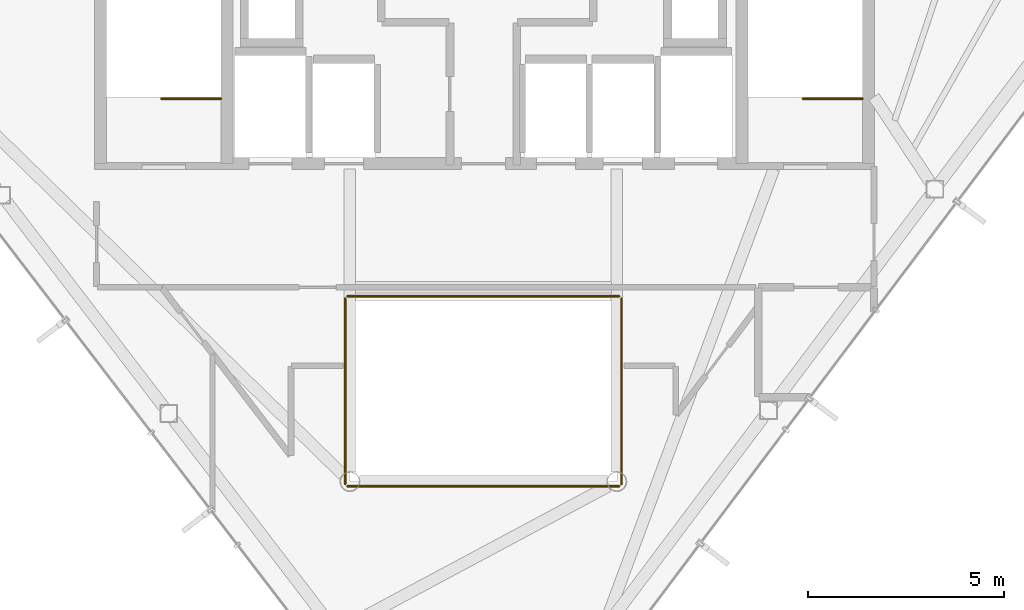
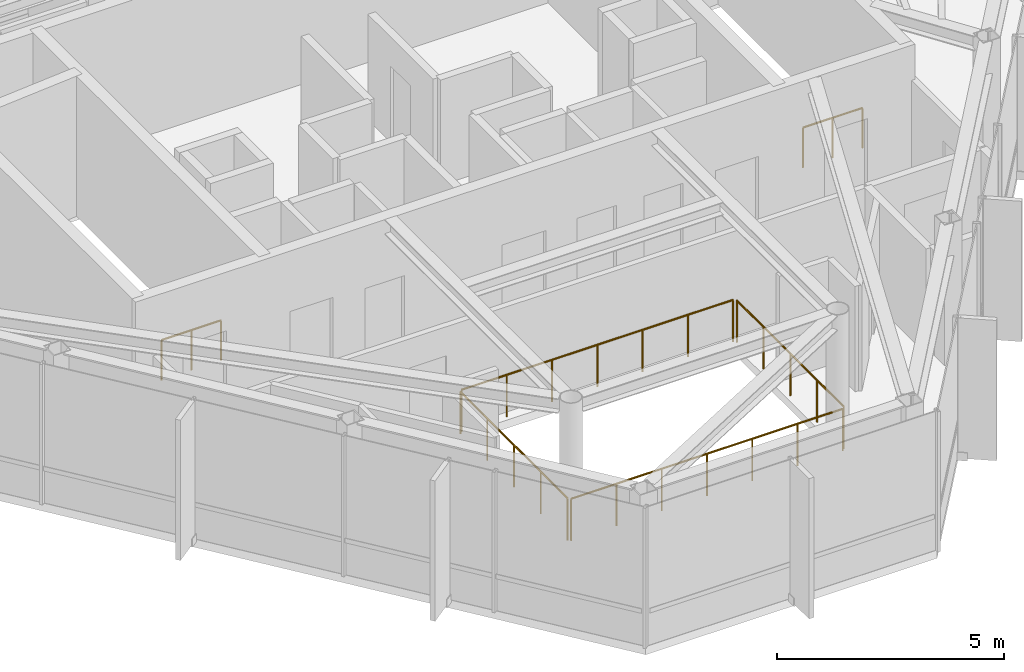
# One storey, part 21 of 21: 6 railings.
"""IFC4 building model written with IfcOpenShell, lengths in metres."""

from ifc_helpers import new_model, si_unit, direction, frame, origin, origin_2d, place, context, subcontext, project, spatial, circle, extrude, material, type_object, element, save


model = new_model("IFC4")

# Units and contexts
model_context = context("Model", 3, precision=1e-05, world=origin(), true_north=direction((0.0, 1.0)))
body_context = subcontext(model_context, "Body", "Model", "MODEL_VIEW")
ifc_project = project(units=[si_unit("LENGTHUNIT", "METRE"), si_unit("AREAUNIT", "SQUARE_METRE"), si_unit("VOLUMEUNIT", "CUBIC_METRE"), si_unit("PLANEANGLEUNIT", "RADIAN"), si_unit("MASSUNIT", "GRAM", prefix="KILO")], contexts=[model_context])

# Site, building, storey
site_placement = place(None, origin())
site = spatial("IfcSite", under=ifc_project, at=site_placement, CompositionType="ELEMENT")
building_placement = place(site_placement, origin())
building = spatial("IfcBuilding", under=site, at=building_placement, Name="Zarrinselat Tower", CompositionType="ELEMENT")
storey_placement = place(building_placement, frame((0.0, 0.0, 299.199951171875)))
storey = spatial("IfcBuildingStorey", under=building, at=storey_placement, Name="L77", CompositionType="ELEMENT", Elevation=299.199951171875)

# Railings
ifc_material_1 = material(Name="Double Low-E Laminated Solar Glass", Category="glass")
railing_type_1 = type_object("IfcRailingType", Name="RLG-ATRIUM-BAL", PredefinedType="BALUSTRADE", material=ifc_material_1)
railing_1_placement = place(storey_placement, frame((34.93994140625, 25.080078125, 0.0)))
element("IfcRailing", 1, at=railing_1_placement, inside=storey, type_object=railing_type_1, Name="L77 Atrium Void Glass Balustrade S", PredefinedType="BALUSTRADE", context=body_context, shape_type="SweptSolid", body=[
    extrude(circle(Radius=0.02392578125, at=origin_2d()), frame((0.0, 0.0, 1.1259765625), z_axis=(1.0, 0.0, 0.0), x_axis=(0.0, 1.0, 0.0)), (0.0, 0.0, 1.0), 6.920166015625),
    extrude(circle(Radius=0.02099609375, at=origin_2d()), origin(), (0.0, 0.0, 1.0), 1.099853515625),
    extrude(circle(Radius=0.02099609375, at=origin_2d()), frame((1.1533203125, 0.0, 0.0)), (0.0, 0.0, 1.0), 1.099853515625),
    extrude(circle(Radius=0.02099609375, at=origin_2d()), frame((2.306640625, 0.0, 0.0)), (0.0, 0.0, 1.0), 1.099853515625),
    extrude(circle(Radius=0.02099609375, at=origin_2d()), frame((3.4599609375, 0.0, 0.0)), (0.0, 0.0, 1.0), 1.099853515625),
    extrude(circle(Radius=0.02099609375, at=origin_2d()), frame((4.613525390625, 0.0, 0.0)), (0.0, 0.0, 1.0), 1.099853515625),
    extrude(circle(Radius=0.02099609375, at=origin_2d()), frame((5.766845703125, 0.0, 0.0)), (0.0, 0.0, 1.0), 1.099853515625),
    extrude(circle(Radius=0.02099609375, at=origin_2d()), frame((6.920166015625, 0.0, 0.0)), (0.0, 0.0, 1.0), 1.099853515625),
])
railing_2_placement = place(storey_placement, frame((41.919921875, 25.139892578125, 0.0)))
element("IfcRailing", 2, at=railing_2_placement, inside=storey, type_object=railing_type_1, Name="L77 Atrium Void Glass Balustrade E", PredefinedType="BALUSTRADE", context=body_context, shape_type="SweptSolid", body=[
    extrude(circle(Radius=0.02392578125, at=origin_2d()), frame((0.0, 0.0, 1.1259765625), z_axis=(0.0, 1.0, 0.0), x_axis=(-1.0, 0.0, 0.0)), (0.0, 0.0, 1.0), 4.72021484375),
    extrude(circle(Radius=0.02099609375, at=origin_2d()), origin(), (0.0, 0.0, 1.0), 1.099853515625),
    extrude(circle(Radius=0.02099609375, at=origin_2d()), frame((0.0, 1.18017578125, 0.0)), (0.0, 0.0, 1.0), 1.099853515625),
    extrude(circle(Radius=0.02099609375, at=origin_2d()), frame((0.0, 2.360107421875, 0.0)), (0.0, 0.0, 1.0), 1.099853515625),
    extrude(circle(Radius=0.02099609375, at=origin_2d()), frame((0.0, 3.5400390625, 0.0)), (0.0, 0.0, 1.0), 1.099853515625),
    extrude(circle(Radius=0.02099609375, at=origin_2d()), frame((0.0, 4.72021484375, 0.0)), (0.0, 0.0, 1.0), 1.099853515625),
])
railing_3_placement = place(storey_placement, frame((41.860107421875, 29.919921875, 0.0)))
element("IfcRailing", 3, at=railing_3_placement, inside=storey, type_object=railing_type_1, Name="L77 Atrium Void Glass Balustrade N", PredefinedType="BALUSTRADE", context=body_context, shape_type="SweptSolid", body=[
    extrude(circle(Radius=0.02392578125, at=origin_2d()), frame((0.0, 0.0, 1.1259765625), z_axis=(-1.0, 0.0, 0.0), x_axis=(0.0, -1.0, 0.0)), (0.0, 0.0, 1.0), 6.920166015625),
    extrude(circle(Radius=0.02099609375, at=origin_2d()), origin(), (0.0, 0.0, 1.0), 1.099853515625),
    extrude(circle(Radius=0.02099609375, at=origin_2d()), frame((-1.1533203125, 0.0, 0.0)), (0.0, 0.0, 1.0), 1.099853515625),
    extrude(circle(Radius=0.02099609375, at=origin_2d()), frame((-2.306640625, 0.0, 0.0)), (0.0, 0.0, 1.0), 1.099853515625),
    extrude(circle(Radius=0.02099609375, at=origin_2d()), frame((-3.4599609375, 0.0, 0.0)), (0.0, 0.0, 1.0), 1.099853515625),
    extrude(circle(Radius=0.02099609375, at=origin_2d()), frame((-4.613525390625, 0.0, 0.0)), (0.0, 0.0, 1.0), 1.099853515625),
    extrude(circle(Radius=0.02099609375, at=origin_2d()), frame((-5.766845703125, 0.0, 0.0)), (0.0, 0.0, 1.0), 1.099853515625),
    extrude(circle(Radius=0.02099609375, at=origin_2d()), frame((-6.920166015625, 0.0, 0.0)), (0.0, 0.0, 1.0), 1.099853515625),
])
railing_4_placement = place(storey_placement, frame((34.8798828125, 29.860107421875, 0.0)))
element("IfcRailing", 4, at=railing_4_placement, inside=storey, type_object=railing_type_1, Name="L77 Atrium Void Glass Balustrade W", PredefinedType="BALUSTRADE", context=body_context, shape_type="SweptSolid", body=[
    extrude(circle(Radius=0.02392578125, at=origin_2d()), frame((0.0, 0.0, 1.1259765625), z_axis=(0.0, -1.0, 0.0), x_axis=(1.0, 0.0, 0.0)), (0.0, 0.0, 1.0), 4.72021484375),
    extrude(circle(Radius=0.02099609375, at=origin_2d()), origin(), (0.0, 0.0, 1.0), 1.099853515625),
    extrude(circle(Radius=0.02099609375, at=origin_2d()), frame((0.0, -1.18017578125, 0.0)), (0.0, 0.0, 1.0), 1.099853515625),
    extrude(circle(Radius=0.02099609375, at=origin_2d()), frame((0.0, -2.360107421875, 0.0)), (0.0, 0.0, 1.0), 1.099853515625),
    extrude(circle(Radius=0.02099609375, at=origin_2d()), frame((0.0, -3.5400390625, 0.0)), (0.0, 0.0, 1.0), 1.099853515625),
    extrude(circle(Radius=0.02099609375, at=origin_2d()), frame((0.0, -4.72021484375, 0.0)), (0.0, 0.0, 1.0), 1.099853515625),
])
ifc_material_2 = material(Name="Steel S355J2", Category="steel")
railing_type_2 = type_object("IfcRailingType", Name="RLG-STAIR-GUARD", PredefinedType="GUARDRAIL", material=ifc_material_2)
for number, where, name in (
    (5, (31.719970703125, 34.949951171875, 0.0), "L77 ST-1 top well guard 1"),
    (6, (48.06005859375, 34.949951171875, 0.0), "L77 ST-2 top well guard 1"),
):
    element("IfcRailing", number, at=place(storey_placement, frame(where)), inside=storey, type_object=railing_type_2, Name=name, PredefinedType="GUARDRAIL", context=body_context, shape_type="SweptSolid", body=[
        extrude(circle(Radius=0.02392578125, at=origin_2d()), frame((0.0, 0.0, 1.076171875), z_axis=(-1.0, 0.0, 0.0), x_axis=(0.0, -1.0, 0.0)), (0.0, 0.0, 1.0), 1.52001953125),
        extrude(circle(Radius=0.02099609375, at=origin_2d()), origin(), (0.0, 0.0, 1.0), 1.050048828125),
        extrude(circle(Radius=0.02099609375, at=origin_2d()), frame((-0.760009765625, 0.0, 0.0)), (0.0, 0.0, 1.0), 1.050048828125),
        extrude(circle(Radius=0.02099609375, at=origin_2d()), frame((-1.52001953125, 0.0, 0.0)), (0.0, 0.0, 1.0), 1.050048828125),
    ])

save(model, "model.ifc")
